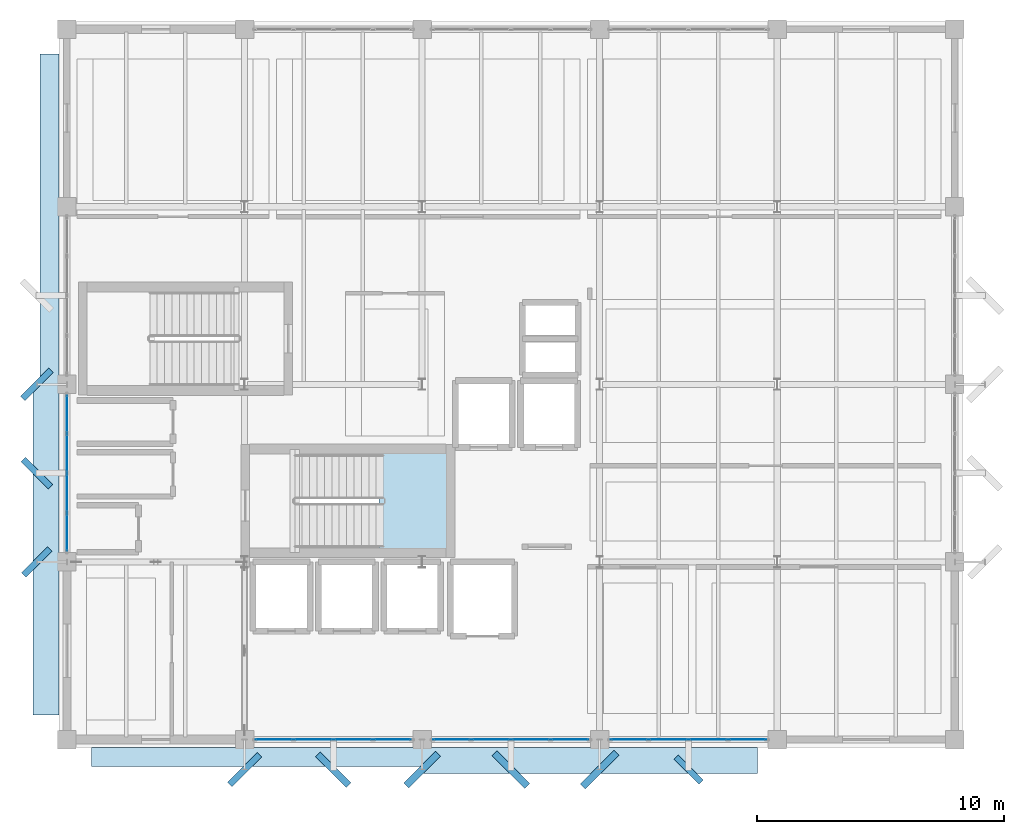
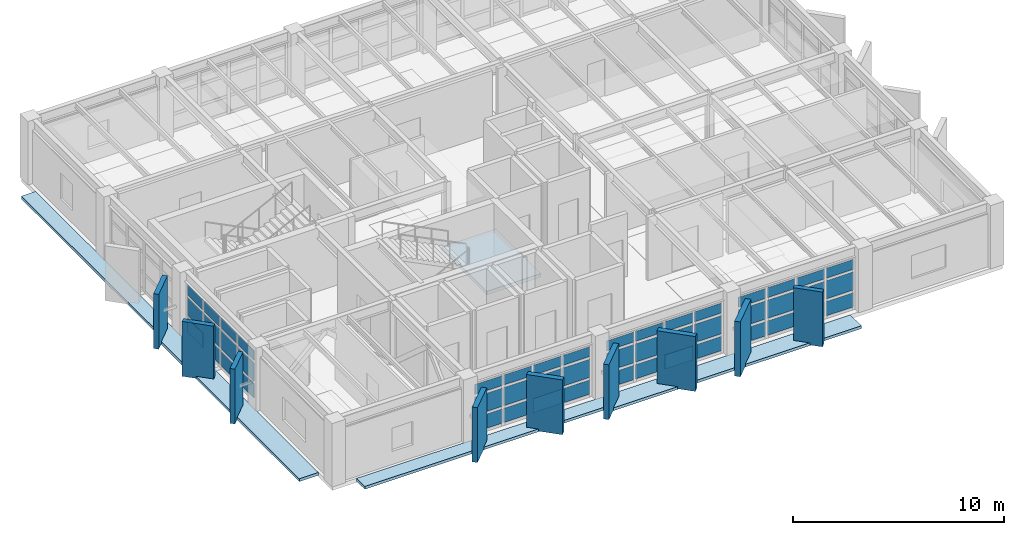
# One storey, part 14 of 24: 57 plates, 3 slabs, 5 elements without a shape of their own.
"""IFC4 building model written with IfcOpenShell, lengths in metres."""

from ifc_helpers import new_model, si_unit, direction, frame, origin, origin_2d, place, context, subcontext, project, spatial, polyline, rectangle, outline, extrude, material, layer, layer_set, type_object, element, aggregate, save


model = new_model("IFC4")

# Units and contexts
model_context = context("Model", 3, precision=1e-05, world=origin(), true_north=direction((0.0, 1.0)))
body_context = subcontext(model_context, "Body", "Model", "MODEL_VIEW")
ifc_project = project(units=[si_unit("LENGTHUNIT", "METRE"), si_unit("AREAUNIT", "SQUARE_METRE"), si_unit("VOLUMEUNIT", "CUBIC_METRE"), si_unit("PLANEANGLEUNIT", "RADIAN"), si_unit("MASSUNIT", "GRAM", prefix="KILO")], contexts=[model_context])

# Site, building, storey
site_placement = place(None, origin())
site = spatial("IfcSite", under=ifc_project, at=site_placement, CompositionType="ELEMENT")
building_placement = place(site_placement, origin())
building = spatial("IfcBuilding", under=site, at=building_placement, Name="Kandorven Conservatory and Botanical Research Centre", CompositionType="ELEMENT")
storey_placement = place(building_placement, frame((0.0, 0.0, 21.0)))
storey = spatial("IfcBuildingStorey", under=building, at=storey_placement, Name="L05", CompositionType="ELEMENT", Elevation=21.0)

# Curtain wall, plates
ifc_material_1 = material(Name="Bronze anodised thermally broken aluminium", Category="aluminium")
ifc_layer_1 = layer(ifc_material_1, 0.179931640625)
ifc_layer_set_1 = layer_set([ifc_layer_1], Name="Bronze anodised thermally broken aluminium")
curtain_wall_type = type_object("IfcCurtainWallType", Name="CW_Unitised", PredefinedType="USERDEFINED", material=ifc_layer_set_1)
curtain_wall_1_placement = place(storey_placement, origin())
curtain_wall_1 = element("IfcCurtainWall", 1, at=curtain_wall_1_placement, inside=storey, type_object=curtain_wall_type, Name="Tower laboratory curtain wall CW-TWR-S-L05-2", ObjectType="UNITISED GLAZING", PredefinedType="USERDEFINED")
ifc_material_2 = material(Name="Double-glazed solar-control low-E glass", Category="glass")
ifc_layer_2 = layer(ifc_material_2, 0.028076171875)
ifc_layer_set_2 = layer_set([ifc_layer_2], Name="Double-glazed solar-control low-E glass")
plate_type_1 = type_object("IfcPlateType", Name="CW_Panel", PredefinedType="CURTAIN_PANEL", material=ifc_layer_set_2)
plate_1_placement = place(storey_placement, frame((14.4013671875, 6.0, 0.14990234375), z_axis=(0.0, 0.0, 1.0), x_axis=(1.0, 0.0, 0.0)))
plate_1 = element("IfcPlate", 2, at=plate_1_placement, type_object=plate_type_1, Name="CW-01 panel 1.1", PredefinedType="CURTAIN_PANEL", context=body_context, shape_type="SweptSolid", body=[
    extrude(rectangle(XDim=1.492431640625, YDim=0.028076171875, at=origin_2d()), origin(), (0.0, 0.0, 1.0), 0.824951171875),
])
plate_2_placement = place(storey_placement, frame((14.4013671875, 6.0, 1.125), z_axis=(0.0, 0.0, 1.0), x_axis=(1.0, 0.0, 0.0)))
plate_2 = element("IfcPlate", 3, at=plate_2_placement, type_object=plate_type_1, Name="CW-01 panel 1.2", PredefinedType="CURTAIN_PANEL", context=body_context, shape_type="SweptSolid", body=[
    extrude(rectangle(XDim=1.492431640625, YDim=0.028076171875, at=origin_2d()), origin(), (0.0, 0.0, 1.0), 1.050048828125),
])
plate_3_placement = place(storey_placement, frame((14.4013671875, 6.0, 2.3251953125), z_axis=(0.0, 0.0, 1.0), x_axis=(1.0, 0.0, 0.0)))
plate_3 = element("IfcPlate", 4, at=plate_3_placement, type_object=plate_type_1, Name="CW-01 panel 1.3", PredefinedType="CURTAIN_PANEL", context=body_context, shape_type="SweptSolid", body=[
    extrude(rectangle(XDim=1.492431640625, YDim=0.028076171875, at=origin_2d()), origin(), (0.0, 0.0, 1.0), 0.574951171875),
])
plate_4_placement = place(storey_placement, frame((15.99365234375, 6.0, 0.14990234375), z_axis=(0.0, 0.0, 1.0), x_axis=(1.0, 0.0, 0.0)))
plate_4 = element("IfcPlate", 5, at=plate_4_placement, type_object=plate_type_1, Name="CW-01 panel 2.1", PredefinedType="CURTAIN_PANEL", context=body_context, shape_type="SweptSolid", body=[
    extrude(rectangle(XDim=1.532470703125, YDim=0.028076171875, at=origin_2d()), origin(), (0.0, 0.0, 1.0), 0.824951171875),
])
plate_5_placement = place(storey_placement, frame((15.99365234375, 6.0, 1.125), z_axis=(0.0, 0.0, 1.0), x_axis=(1.0, 0.0, 0.0)))
plate_5 = element("IfcPlate", 6, at=plate_5_placement, type_object=plate_type_1, Name="CW-01 panel 2.2", PredefinedType="CURTAIN_PANEL", context=body_context, shape_type="SweptSolid", body=[
    extrude(rectangle(XDim=1.532470703125, YDim=0.028076171875, at=origin_2d()), origin(), (0.0, 0.0, 1.0), 1.050048828125),
])
plate_6_placement = place(storey_placement, frame((15.99365234375, 6.0, 2.3251953125), z_axis=(0.0, 0.0, 1.0), x_axis=(1.0, 0.0, 0.0)))
plate_6 = element("IfcPlate", 7, at=plate_6_placement, type_object=plate_type_1, Name="CW-01 panel 2.3", PredefinedType="CURTAIN_PANEL", context=body_context, shape_type="SweptSolid", body=[
    extrude(rectangle(XDim=1.532470703125, YDim=0.028076171875, at=origin_2d()), origin(), (0.0, 0.0, 1.0), 0.574951171875),
])
plate_7_placement = place(storey_placement, frame((17.606201171875, 6.0, 0.14990234375), z_axis=(0.0, 0.0, 1.0), x_axis=(1.0, 0.0, 0.0)))
plate_7 = element("IfcPlate", 8, at=plate_7_placement, type_object=plate_type_1, Name="CW-01 panel 3.1", PredefinedType="CURTAIN_PANEL", context=body_context, shape_type="SweptSolid", body=[
    extrude(rectangle(XDim=1.532470703125, YDim=0.028076171875, at=origin_2d()), origin(), (0.0, 0.0, 1.0), 0.824951171875),
])
plate_8_placement = place(storey_placement, frame((17.606201171875, 6.0, 1.125), z_axis=(0.0, 0.0, 1.0), x_axis=(1.0, 0.0, 0.0)))
plate_8 = element("IfcPlate", 9, at=plate_8_placement, type_object=plate_type_1, Name="CW-01 panel 3.2", PredefinedType="CURTAIN_PANEL", context=body_context, shape_type="SweptSolid", body=[
    extrude(rectangle(XDim=1.532470703125, YDim=0.028076171875, at=origin_2d()), origin(), (0.0, 0.0, 1.0), 1.050048828125),
])
plate_9_placement = place(storey_placement, frame((17.606201171875, 6.0, 2.3251953125), z_axis=(0.0, 0.0, 1.0), x_axis=(1.0, 0.0, 0.0)))
plate_9 = element("IfcPlate", 10, at=plate_9_placement, type_object=plate_type_1, Name="CW-01 panel 3.3", PredefinedType="CURTAIN_PANEL", context=body_context, shape_type="SweptSolid", body=[
    extrude(rectangle(XDim=1.532470703125, YDim=0.028076171875, at=origin_2d()), origin(), (0.0, 0.0, 1.0), 0.574951171875),
])
plate_10_placement = place(storey_placement, frame((19.19873046875, 6.0, 0.14990234375), z_axis=(0.0, 0.0, 1.0), x_axis=(1.0, 0.0, 0.0)))
plate_10 = element("IfcPlate", 11, at=plate_10_placement, type_object=plate_type_1, Name="CW-01 panel 4.1", PredefinedType="CURTAIN_PANEL", context=body_context, shape_type="SweptSolid", body=[
    extrude(rectangle(XDim=1.492431640625, YDim=0.028076171875, at=origin_2d()), origin(), (0.0, 0.0, 1.0), 0.824951171875),
])
plate_11_placement = place(storey_placement, frame((19.19873046875, 6.0, 1.125), z_axis=(0.0, 0.0, 1.0), x_axis=(1.0, 0.0, 0.0)))
plate_11 = element("IfcPlate", 12, at=plate_11_placement, type_object=plate_type_1, Name="CW-01 panel 4.2", PredefinedType="CURTAIN_PANEL", context=body_context, shape_type="SweptSolid", body=[
    extrude(rectangle(XDim=1.492431640625, YDim=0.028076171875, at=origin_2d()), origin(), (0.0, 0.0, 1.0), 1.050048828125),
])
plate_12_placement = place(storey_placement, frame((19.19873046875, 6.0, 2.3251953125), z_axis=(0.0, 0.0, 1.0), x_axis=(1.0, 0.0, 0.0)))
plate_12 = element("IfcPlate", 13, at=plate_12_placement, type_object=plate_type_1, Name="CW-01 panel 4.3", PredefinedType="CURTAIN_PANEL", context=body_context, shape_type="SweptSolid", body=[
    extrude(rectangle(XDim=1.492431640625, YDim=0.028076171875, at=origin_2d()), origin(), (0.0, 0.0, 1.0), 0.574951171875),
])
aggregate(curtain_wall_1, [plate_1, plate_2, plate_3, plate_4, plate_5, plate_6, plate_7, plate_8, plate_9, plate_10, plate_11, plate_12])

curtain_wall_2_placement = place(storey_placement, origin())
curtain_wall_2 = element("IfcCurtainWall", 14, at=curtain_wall_2_placement, inside=storey, type_object=curtain_wall_type, Name="Tower laboratory curtain wall CW-TWR-S-L05-3", ObjectType="UNITISED GLAZING", PredefinedType="USERDEFINED")
plate_13_placement = place(storey_placement, frame((21.601318359375, 6.0, 0.14990234375), z_axis=(0.0, 0.0, 1.0), x_axis=(1.0, 0.0, 0.0)))
plate_13 = element("IfcPlate", 15, at=plate_13_placement, type_object=plate_type_1, Name="CW-01 panel 1.1", PredefinedType="CURTAIN_PANEL", context=body_context, shape_type="SweptSolid", body=[
    extrude(rectangle(XDim=1.492431640625, YDim=0.028076171875, at=origin_2d()), origin(), (0.0, 0.0, 1.0), 0.824951171875),
])
plate_14_placement = place(storey_placement, frame((21.601318359375, 6.0, 1.125), z_axis=(0.0, 0.0, 1.0), x_axis=(1.0, 0.0, 0.0)))
plate_14 = element("IfcPlate", 16, at=plate_14_placement, type_object=plate_type_1, Name="CW-01 panel 1.2", PredefinedType="CURTAIN_PANEL", context=body_context, shape_type="SweptSolid", body=[
    extrude(rectangle(XDim=1.492431640625, YDim=0.028076171875, at=origin_2d()), origin(), (0.0, 0.0, 1.0), 1.050048828125),
])
plate_15_placement = place(storey_placement, frame((21.601318359375, 6.0, 2.3251953125), z_axis=(0.0, 0.0, 1.0), x_axis=(1.0, 0.0, 0.0)))
plate_15 = element("IfcPlate", 17, at=plate_15_placement, type_object=plate_type_1, Name="CW-01 panel 1.3", PredefinedType="CURTAIN_PANEL", context=body_context, shape_type="SweptSolid", body=[
    extrude(rectangle(XDim=1.492431640625, YDim=0.028076171875, at=origin_2d()), origin(), (0.0, 0.0, 1.0), 0.574951171875),
])
plate_16_placement = place(storey_placement, frame((23.19384765625, 6.0, 0.14990234375), z_axis=(0.0, 0.0, 1.0), x_axis=(1.0, 0.0, 0.0)))
plate_16 = element("IfcPlate", 18, at=plate_16_placement, type_object=plate_type_1, Name="CW-01 panel 2.1", PredefinedType="CURTAIN_PANEL", context=body_context, shape_type="SweptSolid", body=[
    extrude(rectangle(XDim=1.532470703125, YDim=0.028076171875, at=origin_2d()), origin(), (0.0, 0.0, 1.0), 0.824951171875),
])
plate_17_placement = place(storey_placement, frame((23.19384765625, 6.0, 1.125), z_axis=(0.0, 0.0, 1.0), x_axis=(1.0, 0.0, 0.0)))
plate_17 = element("IfcPlate", 19, at=plate_17_placement, type_object=plate_type_1, Name="CW-01 panel 2.2", PredefinedType="CURTAIN_PANEL", context=body_context, shape_type="SweptSolid", body=[
    extrude(rectangle(XDim=1.532470703125, YDim=0.028076171875, at=origin_2d()), origin(), (0.0, 0.0, 1.0), 1.050048828125),
])
plate_18_placement = place(storey_placement, frame((23.19384765625, 6.0, 2.3251953125), z_axis=(0.0, 0.0, 1.0), x_axis=(1.0, 0.0, 0.0)))
plate_18 = element("IfcPlate", 20, at=plate_18_placement, type_object=plate_type_1, Name="CW-01 panel 2.3", PredefinedType="CURTAIN_PANEL", context=body_context, shape_type="SweptSolid", body=[
    extrude(rectangle(XDim=1.532470703125, YDim=0.028076171875, at=origin_2d()), origin(), (0.0, 0.0, 1.0), 0.574951171875),
])
plate_19_placement = place(storey_placement, frame((24.80615234375, 6.0, 0.14990234375), z_axis=(0.0, 0.0, 1.0), x_axis=(1.0, 0.0, 0.0)))
plate_19 = element("IfcPlate", 21, at=plate_19_placement, type_object=plate_type_1, Name="CW-01 panel 3.1", PredefinedType="CURTAIN_PANEL", context=body_context, shape_type="SweptSolid", body=[
    extrude(rectangle(XDim=1.532470703125, YDim=0.028076171875, at=origin_2d()), origin(), (0.0, 0.0, 1.0), 0.824951171875),
])
plate_20_placement = place(storey_placement, frame((24.80615234375, 6.0, 1.125), z_axis=(0.0, 0.0, 1.0), x_axis=(1.0, 0.0, 0.0)))
plate_20 = element("IfcPlate", 22, at=plate_20_placement, type_object=plate_type_1, Name="CW-01 panel 3.2", PredefinedType="CURTAIN_PANEL", context=body_context, shape_type="SweptSolid", body=[
    extrude(rectangle(XDim=1.532470703125, YDim=0.028076171875, at=origin_2d()), origin(), (0.0, 0.0, 1.0), 1.050048828125),
])
plate_21_placement = place(storey_placement, frame((24.80615234375, 6.0, 2.3251953125), z_axis=(0.0, 0.0, 1.0), x_axis=(1.0, 0.0, 0.0)))
plate_21 = element("IfcPlate", 23, at=plate_21_placement, type_object=plate_type_1, Name="CW-01 panel 3.3", PredefinedType="CURTAIN_PANEL", context=body_context, shape_type="SweptSolid", body=[
    extrude(rectangle(XDim=1.532470703125, YDim=0.028076171875, at=origin_2d()), origin(), (0.0, 0.0, 1.0), 0.574951171875),
])
plate_22_placement = place(storey_placement, frame((26.398681640625, 6.0, 0.14990234375), z_axis=(0.0, 0.0, 1.0), x_axis=(1.0, 0.0, 0.0)))
plate_22 = element("IfcPlate", 24, at=plate_22_placement, type_object=plate_type_1, Name="CW-01 panel 4.1", PredefinedType="CURTAIN_PANEL", context=body_context, shape_type="SweptSolid", body=[
    extrude(rectangle(XDim=1.492431640625, YDim=0.028076171875, at=origin_2d()), origin(), (0.0, 0.0, 1.0), 0.824951171875),
])
plate_23_placement = place(storey_placement, frame((26.398681640625, 6.0, 1.125), z_axis=(0.0, 0.0, 1.0), x_axis=(1.0, 0.0, 0.0)))
plate_23 = element("IfcPlate", 25, at=plate_23_placement, type_object=plate_type_1, Name="CW-01 panel 4.2", PredefinedType="CURTAIN_PANEL", context=body_context, shape_type="SweptSolid", body=[
    extrude(rectangle(XDim=1.492431640625, YDim=0.028076171875, at=origin_2d()), origin(), (0.0, 0.0, 1.0), 1.050048828125),
])
plate_24_placement = place(storey_placement, frame((26.398681640625, 6.0, 2.3251953125), z_axis=(0.0, 0.0, 1.0), x_axis=(1.0, 0.0, 0.0)))
plate_24 = element("IfcPlate", 26, at=plate_24_placement, type_object=plate_type_1, Name="CW-01 panel 4.3", PredefinedType="CURTAIN_PANEL", context=body_context, shape_type="SweptSolid", body=[
    extrude(rectangle(XDim=1.492431640625, YDim=0.028076171875, at=origin_2d()), origin(), (0.0, 0.0, 1.0), 0.574951171875),
])
aggregate(curtain_wall_2, [plate_13, plate_14, plate_15, plate_16, plate_17, plate_18, plate_19, plate_20, plate_21, plate_22, plate_23, plate_24])

curtain_wall_3_placement = place(storey_placement, origin())
curtain_wall_3 = element("IfcCurtainWall", 27, at=curtain_wall_3_placement, inside=storey, type_object=curtain_wall_type, Name="Tower laboratory curtain wall CW-TWR-S-L05-4", ObjectType="UNITISED GLAZING", PredefinedType="USERDEFINED")
plate_25_placement = place(storey_placement, frame((28.80126953125, 6.0, 0.14990234375), z_axis=(0.0, 0.0, 1.0), x_axis=(1.0, 0.0, 0.0)))
plate_25 = element("IfcPlate", 28, at=plate_25_placement, type_object=plate_type_1, Name="CW-01 panel 1.1", PredefinedType="CURTAIN_PANEL", context=body_context, shape_type="SweptSolid", body=[
    extrude(rectangle(XDim=1.492431640625, YDim=0.028076171875, at=origin_2d()), origin(), (0.0, 0.0, 1.0), 0.824951171875),
])
plate_26_placement = place(storey_placement, frame((28.80126953125, 6.0, 1.125), z_axis=(0.0, 0.0, 1.0), x_axis=(1.0, 0.0, 0.0)))
plate_26 = element("IfcPlate", 29, at=plate_26_placement, type_object=plate_type_1, Name="CW-01 panel 1.2", PredefinedType="CURTAIN_PANEL", context=body_context, shape_type="SweptSolid", body=[
    extrude(rectangle(XDim=1.492431640625, YDim=0.028076171875, at=origin_2d()), origin(), (0.0, 0.0, 1.0), 1.050048828125),
])
plate_27_placement = place(storey_placement, frame((28.80126953125, 6.0, 2.3251953125), z_axis=(0.0, 0.0, 1.0), x_axis=(1.0, 0.0, 0.0)))
plate_27 = element("IfcPlate", 30, at=plate_27_placement, type_object=plate_type_1, Name="CW-01 panel 1.3", PredefinedType="CURTAIN_PANEL", context=body_context, shape_type="SweptSolid", body=[
    extrude(rectangle(XDim=1.492431640625, YDim=0.028076171875, at=origin_2d()), origin(), (0.0, 0.0, 1.0), 0.574951171875),
])
plate_28_placement = place(storey_placement, frame((30.393798828125, 6.0, 0.14990234375), z_axis=(0.0, 0.0, 1.0), x_axis=(1.0, 0.0, 0.0)))
plate_28 = element("IfcPlate", 31, at=plate_28_placement, type_object=plate_type_1, Name="CW-01 panel 2.1", PredefinedType="CURTAIN_PANEL", context=body_context, shape_type="SweptSolid", body=[
    extrude(rectangle(XDim=1.532470703125, YDim=0.028076171875, at=origin_2d()), origin(), (0.0, 0.0, 1.0), 0.824951171875),
])
plate_29_placement = place(storey_placement, frame((30.393798828125, 6.0, 1.125), z_axis=(0.0, 0.0, 1.0), x_axis=(1.0, 0.0, 0.0)))
plate_29 = element("IfcPlate", 32, at=plate_29_placement, type_object=plate_type_1, Name="CW-01 panel 2.2", PredefinedType="CURTAIN_PANEL", context=body_context, shape_type="SweptSolid", body=[
    extrude(rectangle(XDim=1.532470703125, YDim=0.028076171875, at=origin_2d()), origin(), (0.0, 0.0, 1.0), 1.050048828125),
])
plate_30_placement = place(storey_placement, frame((30.393798828125, 6.0, 2.3251953125), z_axis=(0.0, 0.0, 1.0), x_axis=(1.0, 0.0, 0.0)))
plate_30 = element("IfcPlate", 33, at=plate_30_placement, type_object=plate_type_1, Name="CW-01 panel 2.3", PredefinedType="CURTAIN_PANEL", context=body_context, shape_type="SweptSolid", body=[
    extrude(rectangle(XDim=1.532470703125, YDim=0.028076171875, at=origin_2d()), origin(), (0.0, 0.0, 1.0), 0.574951171875),
])
plate_31_placement = place(storey_placement, frame((32.00634765625, 6.0, 0.14990234375), z_axis=(0.0, 0.0, 1.0), x_axis=(1.0, 0.0, 0.0)))
plate_31 = element("IfcPlate", 34, at=plate_31_placement, type_object=plate_type_1, Name="CW-01 panel 3.1", PredefinedType="CURTAIN_PANEL", context=body_context, shape_type="SweptSolid", body=[
    extrude(rectangle(XDim=1.532470703125, YDim=0.028076171875, at=origin_2d()), origin(), (0.0, 0.0, 1.0), 0.824951171875),
])
plate_32_placement = place(storey_placement, frame((32.00634765625, 6.0, 1.125), z_axis=(0.0, 0.0, 1.0), x_axis=(1.0, 0.0, 0.0)))
plate_32 = element("IfcPlate", 35, at=plate_32_placement, type_object=plate_type_1, Name="CW-01 panel 3.2", PredefinedType="CURTAIN_PANEL", context=body_context, shape_type="SweptSolid", body=[
    extrude(rectangle(XDim=1.532470703125, YDim=0.028076171875, at=origin_2d()), origin(), (0.0, 0.0, 1.0), 1.050048828125),
])
plate_33_placement = place(storey_placement, frame((32.00634765625, 6.0, 2.3251953125), z_axis=(0.0, 0.0, 1.0), x_axis=(1.0, 0.0, 0.0)))
plate_33 = element("IfcPlate", 36, at=plate_33_placement, type_object=plate_type_1, Name="CW-01 panel 3.3", PredefinedType="CURTAIN_PANEL", context=body_context, shape_type="SweptSolid", body=[
    extrude(rectangle(XDim=1.532470703125, YDim=0.028076171875, at=origin_2d()), origin(), (0.0, 0.0, 1.0), 0.574951171875),
])
plate_34_placement = place(storey_placement, frame((33.5986328125, 6.0, 0.14990234375), z_axis=(0.0, 0.0, 1.0), x_axis=(1.0, 0.0, 0.0)))
plate_34 = element("IfcPlate", 37, at=plate_34_placement, type_object=plate_type_1, Name="CW-01 panel 4.1", PredefinedType="CURTAIN_PANEL", context=body_context, shape_type="SweptSolid", body=[
    extrude(rectangle(XDim=1.492431640625, YDim=0.028076171875, at=origin_2d()), origin(), (0.0, 0.0, 1.0), 0.824951171875),
])
plate_35_placement = place(storey_placement, frame((33.5986328125, 6.0, 1.125), z_axis=(0.0, 0.0, 1.0), x_axis=(1.0, 0.0, 0.0)))
plate_35 = element("IfcPlate", 38, at=plate_35_placement, type_object=plate_type_1, Name="CW-01 panel 4.2", PredefinedType="CURTAIN_PANEL", context=body_context, shape_type="SweptSolid", body=[
    extrude(rectangle(XDim=1.492431640625, YDim=0.028076171875, at=origin_2d()), origin(), (0.0, 0.0, 1.0), 1.050048828125),
])
plate_36_placement = place(storey_placement, frame((33.5986328125, 6.0, 2.3251953125), z_axis=(0.0, 0.0, 1.0), x_axis=(1.0, 0.0, 0.0)))
plate_36 = element("IfcPlate", 39, at=plate_36_placement, type_object=plate_type_1, Name="CW-01 panel 4.3", PredefinedType="CURTAIN_PANEL", context=body_context, shape_type="SweptSolid", body=[
    extrude(rectangle(XDim=1.492431640625, YDim=0.028076171875, at=origin_2d()), origin(), (0.0, 0.0, 1.0), 0.574951171875),
])
aggregate(curtain_wall_3, [plate_25, plate_26, plate_27, plate_28, plate_29, plate_30, plate_31, plate_32, plate_33, plate_34, plate_35, plate_36])

curtain_wall_4_placement = place(storey_placement, origin())
curtain_wall_4 = element("IfcCurtainWall", 40, at=curtain_wall_4_placement, inside=storey, type_object=curtain_wall_type, Name="Tower laboratory curtain wall CW-TWR-W-L05-2", ObjectType="UNITISED GLAZING", PredefinedType="USERDEFINED")
plate_37_placement = place(storey_placement, frame((6.0, 14.4013671875, 0.14990234375), z_axis=(0.0, 0.0, 1.0), x_axis=(0.0, 1.0, 0.0)))
plate_37 = element("IfcPlate", 41, at=plate_37_placement, type_object=plate_type_1, Name="CW-01 panel 1.1", PredefinedType="CURTAIN_PANEL", context=body_context, shape_type="SweptSolid", body=[
    extrude(rectangle(XDim=1.492431640625, YDim=0.028076171875, at=origin_2d()), origin(), (0.0, 0.0, 1.0), 0.824951171875),
])
plate_38_placement = place(storey_placement, frame((6.0, 14.4013671875, 1.125), z_axis=(0.0, 0.0, 1.0), x_axis=(0.0, 1.0, 0.0)))
plate_38 = element("IfcPlate", 42, at=plate_38_placement, type_object=plate_type_1, Name="CW-01 panel 1.2", PredefinedType="CURTAIN_PANEL", context=body_context, shape_type="SweptSolid", body=[
    extrude(rectangle(XDim=1.492431640625, YDim=0.028076171875, at=origin_2d()), origin(), (0.0, 0.0, 1.0), 1.050048828125),
])
plate_39_placement = place(storey_placement, frame((6.0, 14.4013671875, 2.3251953125), z_axis=(0.0, 0.0, 1.0), x_axis=(0.0, 1.0, 0.0)))
plate_39 = element("IfcPlate", 43, at=plate_39_placement, type_object=plate_type_1, Name="CW-01 panel 1.3", PredefinedType="CURTAIN_PANEL", context=body_context, shape_type="SweptSolid", body=[
    extrude(rectangle(XDim=1.492431640625, YDim=0.028076171875, at=origin_2d()), origin(), (0.0, 0.0, 1.0), 0.574951171875),
])
plate_40_placement = place(storey_placement, frame((6.0, 15.99365234375, 0.14990234375), z_axis=(0.0, 0.0, 1.0), x_axis=(0.0, 1.0, 0.0)))
plate_40 = element("IfcPlate", 44, at=plate_40_placement, type_object=plate_type_1, Name="CW-01 panel 2.1", PredefinedType="CURTAIN_PANEL", context=body_context, shape_type="SweptSolid", body=[
    extrude(rectangle(XDim=1.532470703125, YDim=0.028076171875, at=origin_2d()), origin(), (0.0, 0.0, 1.0), 0.824951171875),
])
plate_41_placement = place(storey_placement, frame((6.0, 15.99365234375, 1.125), z_axis=(0.0, 0.0, 1.0), x_axis=(0.0, 1.0, 0.0)))
plate_41 = element("IfcPlate", 45, at=plate_41_placement, type_object=plate_type_1, Name="CW-01 panel 2.2", PredefinedType="CURTAIN_PANEL", context=body_context, shape_type="SweptSolid", body=[
    extrude(rectangle(XDim=1.532470703125, YDim=0.028076171875, at=origin_2d()), origin(), (0.0, 0.0, 1.0), 1.050048828125),
])
plate_42_placement = place(storey_placement, frame((6.0, 15.99365234375, 2.3251953125), z_axis=(0.0, 0.0, 1.0), x_axis=(0.0, 1.0, 0.0)))
plate_42 = element("IfcPlate", 46, at=plate_42_placement, type_object=plate_type_1, Name="CW-01 panel 2.3", PredefinedType="CURTAIN_PANEL", context=body_context, shape_type="SweptSolid", body=[
    extrude(rectangle(XDim=1.532470703125, YDim=0.028076171875, at=origin_2d()), origin(), (0.0, 0.0, 1.0), 0.574951171875),
])
plate_43_placement = place(storey_placement, frame((6.0, 17.606201171875, 0.14990234375), z_axis=(0.0, 0.0, 1.0), x_axis=(0.0, 1.0, 0.0)))
plate_43 = element("IfcPlate", 47, at=plate_43_placement, type_object=plate_type_1, Name="CW-01 panel 3.1", PredefinedType="CURTAIN_PANEL", context=body_context, shape_type="SweptSolid", body=[
    extrude(rectangle(XDim=1.532470703125, YDim=0.028076171875, at=origin_2d()), origin(), (0.0, 0.0, 1.0), 0.824951171875),
])
plate_44_placement = place(storey_placement, frame((6.0, 17.606201171875, 1.125), z_axis=(0.0, 0.0, 1.0), x_axis=(0.0, 1.0, 0.0)))
plate_44 = element("IfcPlate", 48, at=plate_44_placement, type_object=plate_type_1, Name="CW-01 panel 3.2", PredefinedType="CURTAIN_PANEL", context=body_context, shape_type="SweptSolid", body=[
    extrude(rectangle(XDim=1.532470703125, YDim=0.028076171875, at=origin_2d()), origin(), (0.0, 0.0, 1.0), 1.050048828125),
])
plate_45_placement = place(storey_placement, frame((6.0, 17.606201171875, 2.3251953125), z_axis=(0.0, 0.0, 1.0), x_axis=(0.0, 1.0, 0.0)))
plate_45 = element("IfcPlate", 49, at=plate_45_placement, type_object=plate_type_1, Name="CW-01 panel 3.3", PredefinedType="CURTAIN_PANEL", context=body_context, shape_type="SweptSolid", body=[
    extrude(rectangle(XDim=1.532470703125, YDim=0.028076171875, at=origin_2d()), origin(), (0.0, 0.0, 1.0), 0.574951171875),
])
plate_46_placement = place(storey_placement, frame((6.0, 19.19873046875, 0.14990234375), z_axis=(0.0, 0.0, 1.0), x_axis=(0.0, 1.0, 0.0)))
plate_46 = element("IfcPlate", 50, at=plate_46_placement, type_object=plate_type_1, Name="CW-01 panel 4.1", PredefinedType="CURTAIN_PANEL", context=body_context, shape_type="SweptSolid", body=[
    extrude(rectangle(XDim=1.492431640625, YDim=0.028076171875, at=origin_2d()), origin(), (0.0, 0.0, 1.0), 0.824951171875),
])
plate_47_placement = place(storey_placement, frame((6.0, 19.19873046875, 1.125), z_axis=(0.0, 0.0, 1.0), x_axis=(0.0, 1.0, 0.0)))
plate_47 = element("IfcPlate", 51, at=plate_47_placement, type_object=plate_type_1, Name="CW-01 panel 4.2", PredefinedType="CURTAIN_PANEL", context=body_context, shape_type="SweptSolid", body=[
    extrude(rectangle(XDim=1.492431640625, YDim=0.028076171875, at=origin_2d()), origin(), (0.0, 0.0, 1.0), 1.050048828125),
])
plate_48_placement = place(storey_placement, frame((6.0, 19.19873046875, 2.3251953125), z_axis=(0.0, 0.0, 1.0), x_axis=(0.0, 1.0, 0.0)))
plate_48 = element("IfcPlate", 52, at=plate_48_placement, type_object=plate_type_1, Name="CW-01 panel 4.3", PredefinedType="CURTAIN_PANEL", context=body_context, shape_type="SweptSolid", body=[
    extrude(rectangle(XDim=1.492431640625, YDim=0.028076171875, at=origin_2d()), origin(), (0.0, 0.0, 1.0), 0.574951171875),
])
aggregate(curtain_wall_4, [plate_37, plate_38, plate_39, plate_40, plate_41, plate_42, plate_43, plate_44, plate_45, plate_46, plate_47, plate_48])

# Plates
ifc_material_3 = material(Name="Precast concrete C40/50 (M50)", Category="concrete")
ifc_layer_3 = layer(ifc_material_3, 0.264892578125)
ifc_layer_set_3 = layer_set([ifc_layer_3], Name="Precast concrete C40/50 (M50)")
plate_type_2 = type_object("IfcPlateType", Name="Fin_BF-06", PredefinedType="USERDEFINED", material=ifc_layer_set_3)
plate_49_placement = place(storey_placement, frame((13.199951171875, 4.780029296875, -0.119873046875), z_axis=(0.0, 0.0, 1.0), x_axis=(0.707106781187, 0.707106781187, 0.0)))
element("IfcPlate", 53, at=plate_49_placement, inside=storey, type_object=plate_type_2, Name="Sculpted board-marked concrete brise-soleil fin BF-06", ObjectType="SOLAR FIN", PredefinedType="USERDEFINED", context=body_context, shape_type="SweptSolid", body=[
    extrude(rectangle(XDim=1.699951171875, YDim=0.264892578125, at=origin_2d()), origin(), (0.0, 0.0, 1.0), 3.169921875),
])
ifc_material_4 = material(Name="Precast concrete C40/50 (M50)", Category="concrete")
ifc_layer_4 = layer(ifc_material_4, 0.27001953125)
ifc_layer_set_4 = layer_set([ifc_layer_4], Name="Precast concrete C40/50 (M50)")
plate_type_3 = type_object("IfcPlateType", Name="Fin_BF-07", PredefinedType="USERDEFINED", material=ifc_layer_set_4)
plate_50_placement = place(storey_placement, frame((16.800048828125, 4.780029296875, -0.119873046875), z_axis=(0.0, 0.0, 1.0), x_axis=(-0.707106781187, 0.707106781187, 0.0)))
element("IfcPlate", 54, at=plate_50_placement, inside=storey, type_object=plate_type_3, Name="Sculpted board-marked concrete brise-soleil fin BF-07", ObjectType="SOLAR FIN", PredefinedType="USERDEFINED", context=body_context, shape_type="SweptSolid", body=[
    extrude(rectangle(XDim=1.760009765625, YDim=0.27001953125, at=origin_2d()), origin(), (0.0, 0.0, 1.0), 3.169921875),
])
ifc_material_5 = material(Name="Precast concrete C40/50 (M50)", Category="concrete")
ifc_layer_5 = layer(ifc_material_5, 0.27490234375)
ifc_layer_set_5 = layer_set([ifc_layer_5], Name="Precast concrete C40/50 (M50)")
plate_type_4 = type_object("IfcPlateType", Name="Fin_BF-08", PredefinedType="USERDEFINED", material=ifc_layer_set_5)
plate_51_placement = place(storey_placement, frame((20.39990234375, 4.780029296875, -0.119873046875), z_axis=(0.0, 0.0, 1.0), x_axis=(0.707106781187, 0.707106781187, 0.0)))
element("IfcPlate", 55, at=plate_51_placement, inside=storey, type_object=plate_type_4, Name="Sculpted board-marked concrete brise-soleil fin BF-08", ObjectType="SOLAR FIN", PredefinedType="USERDEFINED", context=body_context, shape_type="SweptSolid", body=[
    extrude(rectangle(XDim=1.820068359375, YDim=0.27490234375, at=origin_2d()), origin(), (0.0, 0.0, 1.0), 3.169921875),
])
ifc_material_6 = material(Name="Precast concrete C40/50 (M50)", Category="concrete")
ifc_layer_6 = layer(ifc_material_6, 0.280029296875)
ifc_layer_set_6 = layer_set([ifc_layer_6], Name="Precast concrete C40/50 (M50)")
plate_type_5 = type_object("IfcPlateType", Name="Fin_BF-09", PredefinedType="USERDEFINED", material=ifc_layer_set_6)
plate_52_placement = place(storey_placement, frame((24.0, 4.780029296875, -0.119873046875), z_axis=(0.0, 0.0, 1.0), x_axis=(-0.707106781187, 0.707106781187, 0.0)))
element("IfcPlate", 56, at=plate_52_placement, inside=storey, type_object=plate_type_5, Name="Sculpted board-marked concrete brise-soleil fin BF-09", ObjectType="SOLAR FIN", PredefinedType="USERDEFINED", context=body_context, shape_type="SweptSolid", body=[
    extrude(rectangle(XDim=1.8798828125, YDim=0.280029296875, at=origin_2d()), origin(), (0.0, 0.0, 1.0), 3.169921875),
])
ifc_material_7 = material(Name="Precast concrete C40/50 (M50)", Category="concrete")
ifc_layer_7 = layer(ifc_material_7, 0.284912109375)
ifc_layer_set_7 = layer_set([ifc_layer_7], Name="Precast concrete C40/50 (M50)")
plate_type_6 = type_object("IfcPlateType", Name="Fin_BF-10", PredefinedType="USERDEFINED", material=ifc_layer_set_7)
plate_53_placement = place(storey_placement, frame((27.60009765625, 4.780029296875, -0.119873046875), z_axis=(0.0, 0.0, 1.0), x_axis=(0.707106781187, 0.707106781187, 0.0)))
element("IfcPlate", 57, at=plate_53_placement, inside=storey, type_object=plate_type_6, Name="Sculpted board-marked concrete brise-soleil fin BF-10", ObjectType="SOLAR FIN", PredefinedType="USERDEFINED", context=body_context, shape_type="SweptSolid", body=[
    extrude(rectangle(XDim=1.93994140625, YDim=0.284912109375, at=origin_2d()), origin(), (0.0, 0.0, 1.0), 3.169921875),
])
ifc_material_8 = material(Name="Precast concrete C40/50 (M50)", Category="concrete")
ifc_layer_8 = layer(ifc_material_8, 0.241943359375)
ifc_layer_set_8 = layer_set([ifc_layer_8], Name="Precast concrete C40/50 (M50)")
plate_type_7 = type_object("IfcPlateType", Name="Fin_BF-11", PredefinedType="USERDEFINED", material=ifc_layer_set_8)
plate_54_placement = place(storey_placement, frame((31.199951171875, 4.780029296875, -0.119873046875), z_axis=(0.0, 0.0, 1.0), x_axis=(-0.707106781187, 0.707106781187, 0.0)))
element("IfcPlate", 58, at=plate_54_placement, inside=storey, type_object=plate_type_7, Name="Sculpted board-marked concrete brise-soleil fin BF-11", ObjectType="SOLAR FIN", PredefinedType="USERDEFINED", context=body_context, shape_type="SweptSolid", body=[
    extrude(rectangle(XDim=1.429931640625, YDim=0.241943359375, at=origin_2d()), origin(), (0.0, 0.0, 1.0), 3.169921875),
])
ifc_material_9 = material(Name="Precast concrete C40/50 (M50)", Category="concrete")
ifc_layer_9 = layer(ifc_material_9, 0.248046875)
ifc_layer_set_9 = layer_set([ifc_layer_9], Name="Precast concrete C40/50 (M50)")
plate_type_8 = type_object("IfcPlateType", Name="Fin_BF-12", PredefinedType="USERDEFINED", material=ifc_layer_set_9)
plate_55_placement = place(storey_placement, frame((4.780029296875, 13.199951171875, -0.119873046875), z_axis=(0.0, 0.0, 1.0), x_axis=(0.707106781187, 0.707106781187, 0.0)))
element("IfcPlate", 59, at=plate_55_placement, inside=storey, type_object=plate_type_8, Name="Sculpted board-marked concrete brise-soleil fin BF-12", ObjectType="SOLAR FIN", PredefinedType="USERDEFINED", context=body_context, shape_type="SweptSolid", body=[
    extrude(rectangle(XDim=1.489990234375, YDim=0.248046875, at=origin_2d()), origin(), (0.0, 0.0, 1.0), 3.169921875),
])
ifc_material_10 = material(Name="Precast concrete C40/50 (M50)", Category="concrete")
ifc_layer_10 = layer(ifc_material_10, 0.251953125)
ifc_layer_set_10 = layer_set([ifc_layer_10], Name="Precast concrete C40/50 (M50)")
plate_type_9 = type_object("IfcPlateType", Name="Fin_BF-13", PredefinedType="USERDEFINED", material=ifc_layer_set_10)
plate_56_placement = place(storey_placement, frame((4.780029296875, 16.800048828125, -0.119873046875), z_axis=(0.0, 0.0, 1.0), x_axis=(-0.707106781187, 0.707106781187, 0.0)))
element("IfcPlate", 60, at=plate_56_placement, inside=storey, type_object=plate_type_9, Name="Sculpted board-marked concrete brise-soleil fin BF-13", ObjectType="SOLAR FIN", PredefinedType="USERDEFINED", context=body_context, shape_type="SweptSolid", body=[
    extrude(rectangle(XDim=1.550048828125, YDim=0.251953125, at=origin_2d()), origin(), (0.0, 0.0, 1.0), 3.169921875),
])
ifc_material_11 = material(Name="Precast concrete C40/50 (M50)", Category="concrete")
ifc_layer_11 = layer(ifc_material_11, 0.256103515625)
ifc_layer_set_11 = layer_set([ifc_layer_11], Name="Precast concrete C40/50 (M50)")
plate_type_10 = type_object("IfcPlateType", Name="Fin_BF-14", PredefinedType="USERDEFINED", material=ifc_layer_set_11)
plate_57_placement = place(storey_placement, frame((4.780029296875, 20.39990234375, -0.119873046875), z_axis=(0.0, 0.0, 1.0), x_axis=(0.707106781187, 0.707106781187, 0.0)))
element("IfcPlate", 61, at=plate_57_placement, inside=storey, type_object=plate_type_10, Name="Sculpted board-marked concrete brise-soleil fin BF-14", ObjectType="SOLAR FIN", PredefinedType="USERDEFINED", context=body_context, shape_type="SweptSolid", body=[
    extrude(rectangle(XDim=1.610107421875, YDim=0.256103515625, at=origin_2d()), origin(), (0.0, 0.0, 1.0), 3.169921875),
])

# Slabs
ifc_material_12 = material(Name="Concrete C32/40 (M40)", Category="concrete")
ifc_layer_12 = layer(ifc_material_12, 0.159912109375)
ifc_layer_set_12 = layer_set([ifc_layer_12], Name="Concrete C32/40 (M40)")
slab_type_1 = type_object("IfcSlabType", Name="Slab_SL-14", PredefinedType="FLOOR", material=ifc_layer_set_12)
slab_1_placement = place(storey_placement, frame((0.0, 0.0, -0.159912109375)))
element("IfcSlab", 62, at=slab_1_placement, inside=storey, type_object=slab_type_1, Name="Tower south sculpted concrete solar-hood slab L05", PredefinedType="FLOOR", context=body_context, shape_type="SweptSolid", body=[
    extrude(outline(polyline([(7.0, 5.679931640625), (34.0, 5.679931640625), (34.0, 4.6298828125), (20.39990234375, 4.6298828125), (20.39990234375, 4.89990234375), (7.0, 4.89990234375), (7.0, 5.679931640625)])), origin(), (0.0, 0.0, 1.0), 0.159912109375),
])
slab_2_placement = place(storey_placement, frame((0.0, 0.0, -0.159912109375)))
element("IfcSlab", 63, at=slab_2_placement, inside=storey, type_object=slab_type_1, Name="Tower west sculpted concrete solar-hood slab L05", PredefinedType="FLOOR", context=body_context, shape_type="SweptSolid", body=[
    extrude(outline(polyline([(4.6298828125, 7.0), (5.679931640625, 7.0), (5.679931640625, 33.800048828125), (4.89990234375, 33.800048828125), (4.89990234375, 20.39990234375), (4.6298828125, 20.39990234375), (4.6298828125, 7.0)])), origin(), (0.0, 0.0, 1.0), 0.159912109375),
])

# Stair, slab
ifc_material_13 = material(Name="Concrete C32/40 (M40)", Category="concrete")
stair_type = type_object("IfcStairType", Name="Stair_1820", PredefinedType="HALF_TURN_STAIR", material=ifc_material_13)
stair_placement = place(storey_placement, origin())
stair = element("IfcStair", 64, at=stair_placement, inside=storey, type_object=stair_type, Name="L05 Tower Fire Stair ST-T1", PredefinedType="HALF_TURN_STAIR")
ifc_material_14 = material(Name="Concrete C32/40 (M40)", Category="concrete")
ifc_layer_13 = layer(ifc_material_14, 0.199951171875)
ifc_layer_set_13 = layer_set([ifc_layer_13], Name="Concrete C32/40 (M40)")
slab_type_2 = type_object("IfcSlabType", Name="StairLanding_200", PredefinedType="LANDING", material=ifc_layer_set_13)
slab_3_placement = place(storey_placement, frame((0.0, 0.0, 1.75)))
slab_3 = element("IfcSlab", 65, at=slab_3_placement, type_object=slab_type_2, Name="ST-T1 landing 1", PredefinedType="LANDING", context=body_context, shape_type="SweptSolid", body=[
    extrude(outline(polyline([(18.659423828125, 13.5400390625), (21.6201171875, 13.5400390625), (21.6201171875, 17.81005859375), (18.659423828125, 17.81005859375), (18.659423828125, 13.5400390625)])), origin(), (0.0, 0.0, 1.0), 0.199951171875),
])
aggregate(stair, [slab_3])

save(model, "model.ifc")
